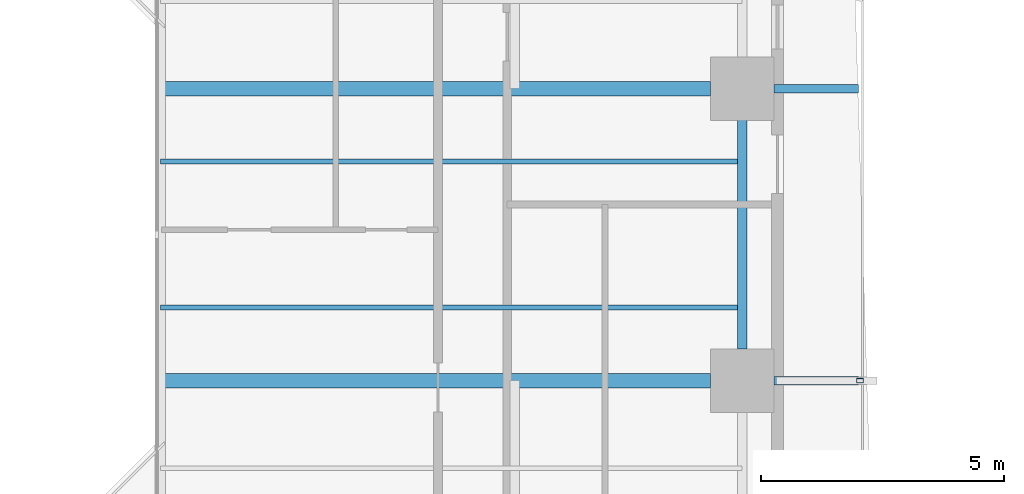
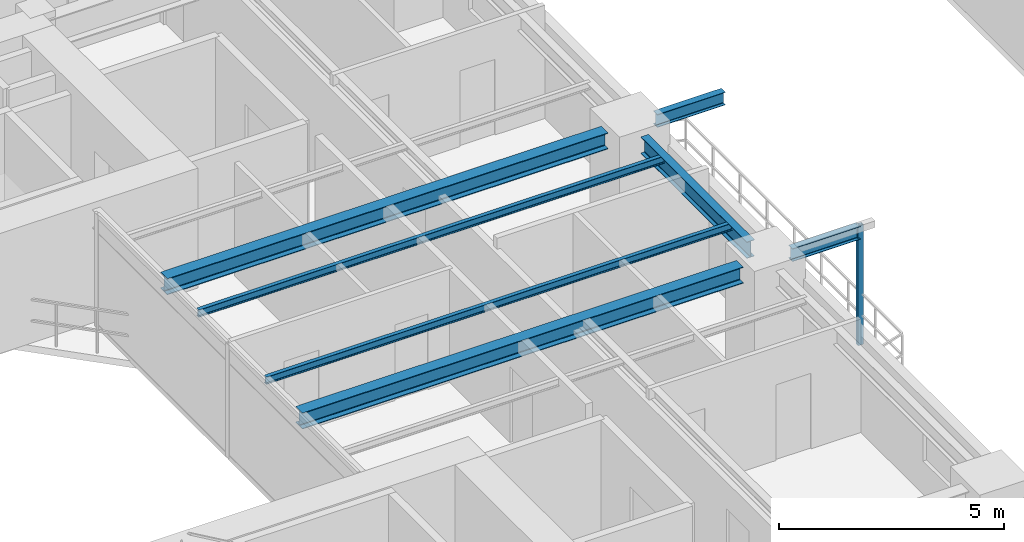
# One storey, part 7 of 23: 7 beams, 1 member.
"""IFC4 building model written with IfcOpenShell, lengths in metres."""

from ifc_helpers import new_model, si_unit, direction, frame, origin, origin_2d, place, context, subcontext, project, spatial, hollow_rectangle, i_section, extrude, source, transform, mapped, material, material_profile, profile_set, type_object, element, save


model = new_model("IFC4")

# Units and contexts
model_context = context("Model", 3, precision=1e-05, world=origin(), true_north=direction((0.0, 1.0)))
body_context = subcontext(model_context, "Body", "Model", "MODEL_VIEW")
ifc_project = project(units=[si_unit("LENGTHUNIT", "METRE"), si_unit("AREAUNIT", "SQUARE_METRE"), si_unit("VOLUMEUNIT", "CUBIC_METRE"), si_unit("PLANEANGLEUNIT", "RADIAN"), si_unit("MASSUNIT", "GRAM", prefix="KILO"), si_unit("THERMODYNAMICTEMPERATUREUNIT", "KELVIN"), si_unit("POWERUNIT", "WATT")], contexts=[model_context])

# Site, building, storey
site_placement = place(None, origin())
site = spatial("IfcSite", under=ifc_project, at=site_placement, CompositionType="ELEMENT")
building_placement = place(site_placement, origin())
building = spatial("IfcBuilding", under=site, at=building_placement, Name="Qiaomeng Ring Towers", CompositionType="ELEMENT")
storey_placement = place(building_placement, frame((0.0, 0.0, 73.0)))
storey = spatial("IfcBuildingStorey", under=building, at=storey_placement, Name="L20", CompositionType="ELEMENT", Elevation=73.0)

# Beams
ifc_material_1 = material(Name="Steel Q355B", Category="steel")
ifc_material_profile_1 = material_profile(ifc_material_1, i_section(OverallWidth=0.199951171875, OverallDepth=0.449951171875, WebThickness=0.009033203125, FlangeThickness=0.013916015625, FilletRadius=0.01806640625, at=origin_2d()), Name="HN 450x200x9x14")
ifc_profile_set_1 = profile_set([ifc_material_profile_1], Name="Steel Q355B")
beam_type_1 = type_object("IfcBeamType", Name="STR-BM-HN450", PredefinedType="SPANDREL", material=ifc_profile_set_1)
shared_shape_1 = source(origin(), body_context, "Body", "SweptSolid", [
    extrude(i_section(OverallWidth=0.199951171875, OverallDepth=0.449951171875, WebThickness=0.009033203125, FlangeThickness=0.013916015625, FilletRadius=0.01806640625, at=origin_2d()), origin(), (0.0, 0.0, 1.0), 4.7021484375),
])
beam_placement = place(storey_placement, frame((37.14990234375, 20.64892578125, 2.844970703125), z_axis=(0.0, 1.0, 0.0), x_axis=(-1.0, 0.0, 0.0)))
element("IfcBeam", 1, at=beam_placement, inside=storey, type_object=beam_type_1, Name="L20 beam STR-SP-L20-T1-E2-E3", PredefinedType="SPANDREL", context=body_context, shape_type="MappedRepresentation", body=[
    mapped(shared_shape_1, transform((0.0, 0.0, 0.0), x_axis=(1.0, 0.0, 0.0), y_axis=(0.0, 1.0, 0.0), z_axis=(0.0, 0.0, 1.0), scale=1.0)),
])
ifc_material_profile_2 = material_profile(ifc_material_1, i_section(OverallWidth=0.300048828125, OverallDepth=0.43994140625, WebThickness=0.010986328125, FlangeThickness=0.01806640625, FilletRadius=0.02392578125, at=origin_2d()), Name="HM 440x300x11x18")
ifc_profile_set_2 = profile_set([ifc_material_profile_2], Name="Steel Q355B")
beam_type_2 = type_object("IfcBeamType", Name="STR-BM-HM440", PredefinedType="BEAM", material=ifc_profile_set_2)
shared_shape_2 = source(origin(), body_context, "Body", "SweptSolid", [
    extrude(i_section(OverallWidth=0.300048828125, OverallDepth=0.43994140625, WebThickness=0.010986328125, FlangeThickness=0.01806640625, FilletRadius=0.02392578125, at=origin_2d()), origin(), (0.0, 0.0, 1.0), 11.301025390625),
])
for number, where, z_axis, x_axis, name in (
    (2, (25.199951171875, 20.0, 2.85009765625), (1.0, 0.0, 0.0), (0.0, 1.0, 0.0), "L20 beam STR-BM-L20-T1-RAD-E2"),
    (3, (25.199951171875, 26.0, 2.85009765625), (1.0, 0.0, 0.0), (0.0, 1.0, 0.0), "L20 beam STR-BM-L20-T1-RAD-E3"),
):
    element("IfcBeam", number, at=place(storey_placement, frame(where, z_axis=z_axis, x_axis=x_axis)), inside=storey, type_object=beam_type_2, Name=name, PredefinedType="BEAM", context=body_context, shape_type="MappedRepresentation", body=[
        mapped(shared_shape_2, transform((0.0, 0.0, 0.0), x_axis=(1.0, 0.0, 0.0), y_axis=(0.0, 1.0, 0.0), z_axis=(0.0, 0.0, 1.0), scale=1.0)),
    ])
ifc_material_profile_3 = material_profile(ifc_material_1, i_section(OverallWidth=0.10009765625, OverallDepth=0.199951171875, WebThickness=0.005615234375, FlangeThickness=0.008056640625, FilletRadius=0.010986328125, at=origin_2d()), Name="HN 200x100x5.5x8")
ifc_profile_set_3 = profile_set([ifc_material_profile_3], Name="Steel Q355B")
beam_type_3 = type_object("IfcBeamType", Name="STR-BM-HN200", PredefinedType="JOIST", material=ifc_profile_set_3)
shared_shape_3 = source(origin(), body_context, "Body", "SweptSolid", [
    extrude(i_section(OverallWidth=0.10009765625, OverallDepth=0.199951171875, WebThickness=0.005615234375, FlangeThickness=0.008056640625, FilletRadius=0.010986328125, at=origin_2d()), origin(), (0.0, 0.0, 1.0), 11.949951171875),
])
for number, where, z_axis, x_axis, name in (
    (4, (25.199951171875, 21.5, 2.969970703125), (1.0, 0.0, 0.0), (0.0, 1.0, 0.0), "L20 beam STR-JST-L20-T1E-2"),
    (5, (25.199951171875, 24.5, 2.969970703125), (1.0, 0.0, 0.0), (0.0, 1.0, 0.0), "L20 beam STR-JST-L20-T1E-3"),
):
    element("IfcBeam", number, at=place(storey_placement, frame(where, z_axis=z_axis, x_axis=x_axis)), inside=storey, type_object=beam_type_3, Name=name, PredefinedType="JOIST", context=body_context, shape_type="MappedRepresentation", body=[
        mapped(shared_shape_3, transform((0.0, 0.0, 0.0), x_axis=(1.0, 0.0, 0.0), y_axis=(0.0, 1.0, 0.0), z_axis=(0.0, 0.0, 1.0), scale=1.0)),
    ])
ifc_material_profile_4 = material_profile(ifc_material_1, i_section(OverallWidth=0.175048828125, OverallDepth=0.35009765625, WebThickness=0.007080078125, FlangeThickness=0.010986328125, FilletRadius=0.013916015625, at=origin_2d()), Name="HN 350x175x7x11")
ifc_profile_set_4 = profile_set([ifc_material_profile_4], Name="Steel Q355B")
beam_type_4 = type_object("IfcBeamType", Name="STR-BM-HN350", PredefinedType="JOIST", material=ifc_profile_set_4)
shared_shape_4 = source(origin(), body_context, "Body", "SweptSolid", [
    extrude(i_section(OverallWidth=0.175048828125, OverallDepth=0.35009765625, WebThickness=0.007080078125, FlangeThickness=0.010986328125, FilletRadius=0.013916015625, at=origin_2d()), origin(), (0.0, 0.0, 1.0), 1.740966796875),
])
for number, where, z_axis, x_axis, name in (
    (6, (37.799072265625, 20.0, 2.89501953125), (1.0, 0.0, 0.0), (0.0, 1.0, 0.0), "L20 beam STR-BALBM-L20-E2"),
    (7, (37.799072265625, 26.0, 2.89501953125), (1.0, 0.0, 0.0), (0.0, 1.0, 0.0), "L20 beam STR-BALBM-L20-E3"),
):
    element("IfcBeam", number, at=place(storey_placement, frame(where, z_axis=z_axis, x_axis=x_axis)), inside=storey, type_object=beam_type_4, Name=name, PredefinedType="JOIST", context=body_context, shape_type="MappedRepresentation", body=[
        mapped(shared_shape_4, transform((0.0, 0.0, 0.0), x_axis=(1.0, 0.0, 0.0), y_axis=(0.0, 1.0, 0.0), z_axis=(0.0, 0.0, 1.0), scale=1.0)),
    ])

# Member
ifc_material_2 = material(Name="Stainless steel 316", Category="steel")
ifc_material_profile_5 = material_profile(ifc_material_2, hollow_rectangle(XDim=0.090087890625, YDim=0.139892578125, WallThickness=0.0048828125, at=origin_2d()), Name="SS TRELLIS 90x140")
ifc_profile_set_5 = profile_set([ifc_material_profile_5], Name="Stainless steel 316")
member_type = type_object("IfcMemberType", Name="ARC-TR-POST1", PredefinedType="STUD", material=ifc_profile_set_5)
shared_shape_5 = source(origin(), body_context, "Body", "SweptSolid", [
    extrude(hollow_rectangle(XDim=0.090087890625, YDim=0.139892578125, WallThickness=0.0048828125, at=origin_2d()), origin(), (0.0, 0.0, 1.0), 3.25),
])
member_placement = place(storey_placement, frame((39.570068359375, 20.0, -0.179931640625), z_axis=(0.0, 0.0, 1.0), x_axis=(0.0, 1.0, 0.0)))
element("IfcMember", 8, at=member_placement, inside=storey, type_object=member_type, Name="L20 Outer Ventilated Trellis Post E", PredefinedType="STUD", context=body_context, shape_type="MappedRepresentation", body=[
    mapped(shared_shape_5, transform((0.0, 0.0, 0.0), x_axis=(1.0, 0.0, 0.0), y_axis=(0.0, 1.0, 0.0), z_axis=(0.0, 0.0, 1.0), scale=1.0)),
])

save(model, "model.ifc")
